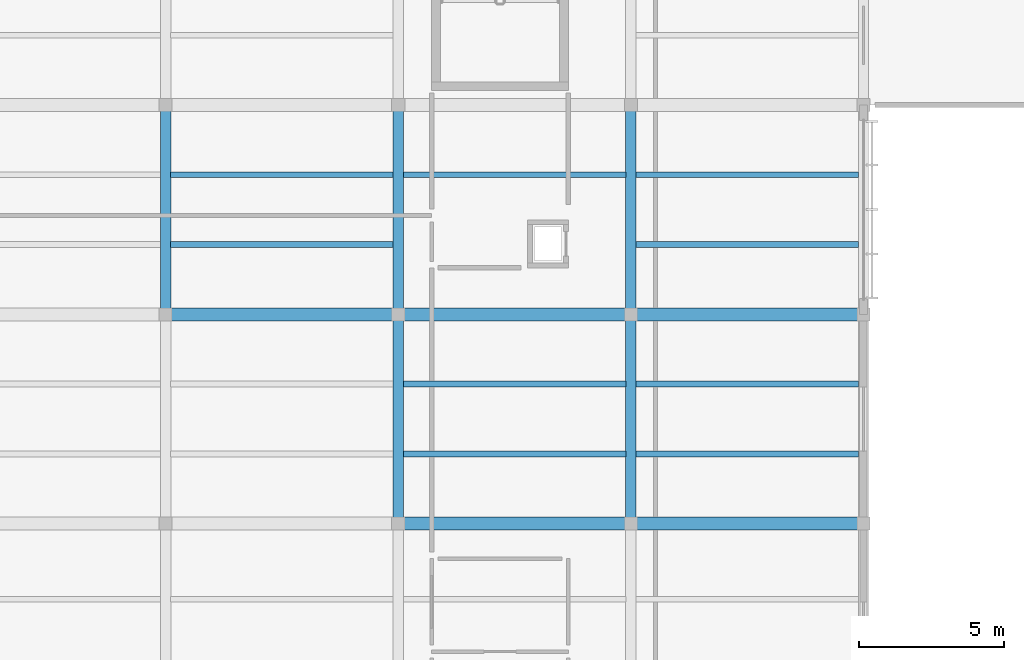
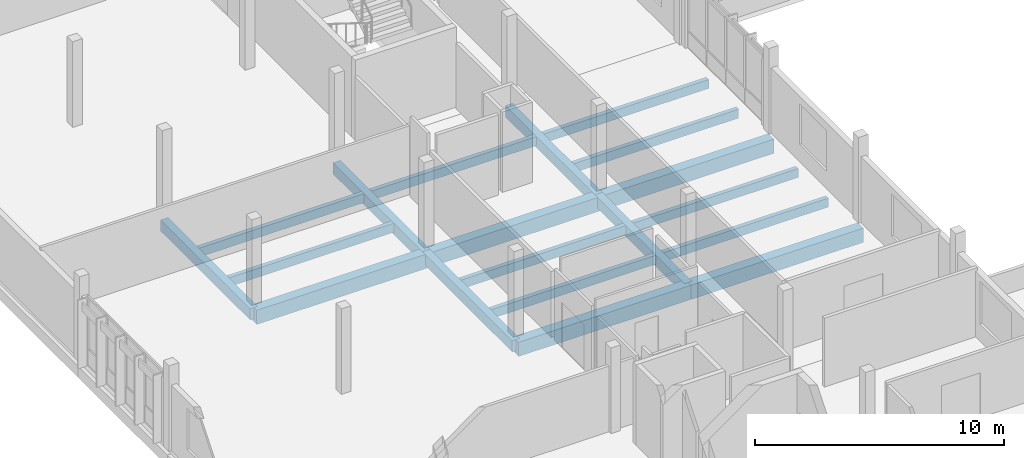
# One storey, part 69 of 182: 19 beams.
"""IFC4 building model written with IfcOpenShell, lengths in metres."""

from ifc_helpers import new_model, si_unit, direction, frame, origin, origin_2d, place, context, subcontext, project, spatial, rectangle, extrude, material, material_profile, profile_set, type_object, element, save


model = new_model("IFC4")

# Units and contexts
model_context = context("Model", 3, precision=1e-05, world=origin(), true_north=direction((0.0, 1.0)))
body_context = subcontext(model_context, "Body", "Model", "MODEL_VIEW")
ifc_project = project(units=[si_unit("LENGTHUNIT", "METRE"), si_unit("AREAUNIT", "SQUARE_METRE"), si_unit("VOLUMEUNIT", "CUBIC_METRE"), si_unit("PLANEANGLEUNIT", "RADIAN"), si_unit("MASSUNIT", "GRAM", prefix="KILO")], contexts=[model_context])

# Site, building, storey
site_placement = place(None, origin())
site = spatial("IfcSite", under=ifc_project, at=site_placement, CompositionType="ELEMENT")
building_placement = place(site_placement, origin())
building = spatial("IfcBuilding", under=site, at=building_placement, Name="Chiffa Square Polytechnic", CompositionType="ELEMENT")
storey_placement = place(building_placement, frame((0.0, 0.0, 9.60009765625)))
storey = spatial("IfcBuildingStorey", under=building, at=storey_placement, Name="L02", CompositionType="ELEMENT", Elevation=9.60009765625)

# Beams
ifc_material_1 = material(Name="Concrete C35/45", Category="concrete")
ifc_material_profile_1 = material_profile(ifc_material_1, rectangle(XDim=0.35009765625, YDim=0.550048828125, at=origin_2d()), Name="RC 350x550")
ifc_profile_set_1 = profile_set([ifc_material_profile_1], Name="Concrete C35/45")
beam_type_1 = type_object("IfcBeamType", Name="BM-RC-350X550", PredefinedType="BEAM", material=ifc_profile_set_1)
beam_1_placement = place(storey_placement, frame((8.0, 72.60009765625, -0.59521484375), z_axis=(0.0, 1.0, 0.0), x_axis=(-1.0, 0.0, 0.0)))
element("IfcBeam", 1, at=beam_1_placement, inside=storey, type_object=beam_type_1, Name="Primary floor girder BM-V6-L02-Y-0080-0726", PredefinedType="BEAM", context=body_context, shape_type="SweptSolid", body=[
    extrude(rectangle(XDim=0.35009765625, YDim=0.550048828125, at=origin_2d()), origin(), (0.0, 0.0, 1.0), 7.199951171875),
])
beam_2_placement = place(storey_placement, frame((16.0, 65.39990234375, -0.59521484375), z_axis=(0.0, 1.0, 0.0), x_axis=(-1.0, 0.0, 0.0)))
element("IfcBeam", 2, at=beam_2_placement, inside=storey, type_object=beam_type_1, Name="Primary floor girder BM-V6-L02-Y-0160-0654", PredefinedType="BEAM", context=body_context, shape_type="SweptSolid", body=[
    extrude(rectangle(XDim=0.35009765625, YDim=0.550048828125, at=origin_2d()), origin(), (0.0, 0.0, 1.0), 7.2001953125),
])
beam_3_placement = place(storey_placement, frame((16.0, 72.60009765625, -0.59521484375), z_axis=(0.0, 1.0, 0.0), x_axis=(-1.0, 0.0, 0.0)))
element("IfcBeam", 3, at=beam_3_placement, inside=storey, type_object=beam_type_1, Name="Primary floor girder BM-V6-L02-Y-0160-0726", PredefinedType="BEAM", context=body_context, shape_type="SweptSolid", body=[
    extrude(rectangle(XDim=0.35009765625, YDim=0.550048828125, at=origin_2d()), origin(), (0.0, 0.0, 1.0), 7.199951171875),
])
beam_4_placement = place(storey_placement, frame((24.0, 65.39990234375, -0.59521484375), z_axis=(0.0, 1.0, 0.0), x_axis=(-1.0, 0.0, 0.0)))
element("IfcBeam", 4, at=beam_4_placement, inside=storey, type_object=beam_type_1, Name="Primary floor girder BM-V6-L02-Y-0240-0654", PredefinedType="BEAM", context=body_context, shape_type="SweptSolid", body=[
    extrude(rectangle(XDim=0.35009765625, YDim=0.550048828125, at=origin_2d()), origin(), (0.0, 0.0, 1.0), 7.2001953125),
])
beam_5_placement = place(storey_placement, frame((24.0, 72.60009765625, -0.59521484375), z_axis=(0.0, 1.0, 0.0), x_axis=(-1.0, 0.0, 0.0)))
element("IfcBeam", 5, at=beam_5_placement, inside=storey, type_object=beam_type_1, Name="Primary floor girder BM-V6-L02-Y-0240-0726", PredefinedType="BEAM", context=body_context, shape_type="SweptSolid", body=[
    extrude(rectangle(XDim=0.35009765625, YDim=0.550048828125, at=origin_2d()), origin(), (0.0, 0.0, 1.0), 7.199951171875),
])
ifc_material_profile_2 = material_profile(ifc_material_1, rectangle(XDim=0.449951171875, YDim=0.699951171875, at=origin_2d()), Name="RC 450x700")
ifc_profile_set_2 = profile_set([ifc_material_profile_2], Name="Concrete C35/45")
beam_type_2 = type_object("IfcBeamType", Name="BM-RC-450X700", PredefinedType="BEAM", material=ifc_profile_set_2)
for number, where, z_axis, x_axis, name in (
    (6, (16.0, 65.39990234375, -0.670166015625), (1.0, 0.0, 0.0), (0.0, 1.0, 0.0), "Primary floor girder BM-V6-L02-X-0160-0654"),
    (7, (24.0, 65.39990234375, -0.670166015625), (1.0, 0.0, 0.0), (0.0, 1.0, 0.0), "Primary floor girder BM-V6-L02-X-0240-0654"),
    (8, (8.0, 72.60009765625, -0.670166015625), (1.0, 0.0, 0.0), (0.0, 1.0, 0.0), "Primary floor girder BM-V6-L02-X-0080-0726"),
    (9, (16.0, 72.60009765625, -0.670166015625), (1.0, 0.0, 0.0), (0.0, 1.0, 0.0), "Primary floor girder BM-V6-L02-X-0160-0726"),
    (10, (24.0, 72.60009765625, -0.670166015625), (1.0, 0.0, 0.0), (0.0, 1.0, 0.0), "Primary floor girder BM-V6-L02-X-0240-0726"),
):
    element("IfcBeam", number, at=place(storey_placement, frame(where, z_axis=z_axis, x_axis=x_axis)), inside=storey, type_object=beam_type_2, Name=name, PredefinedType="BEAM", context=body_context, shape_type="SweptSolid", body=[
        extrude(rectangle(XDim=0.449951171875, YDim=0.699951171875, at=origin_2d()), origin(), (0.0, 0.0, 1.0), 8.0),
    ])
ifc_material_2 = material(Name="Glulam GL28h", Category="wood")
ifc_material_profile_3 = material_profile(ifc_material_2, rectangle(XDim=0.199951171875, YDim=0.43994140625, at=origin_2d()), Name="GL28h 200x440")
ifc_profile_set_3 = profile_set([ifc_material_profile_3], Name="Glulam GL28h")
beam_type_3 = type_object("IfcBeamType", Name="JST-GL-200X440", PredefinedType="JOIST", material=ifc_profile_set_3)
for number, where, z_axis, x_axis, name in (
    (11, (8.173095703125, 75.0, -0.5400390625), (1.0, 0.0, 0.0), (0.0, 1.0, 0.0), "Secondary floor joist JST-V6-L02-0080-0750"),
    (12, (8.173095703125, 77.39990234375, -0.5400390625), (1.0, 0.0, 0.0), (0.0, 1.0, 0.0), "Secondary floor joist JST-V6-L02-0080-0774"),
    (13, (16.173095703125, 67.800048828125, -0.5400390625), (1.0, 0.0, 0.0), (0.0, 1.0, 0.0), "Secondary floor joist JST-V6-L02-0160-0678"),
    (14, (16.173095703125, 70.199951171875, -0.5400390625), (1.0, 0.0, 0.0), (0.0, 1.0, 0.0), "Secondary floor joist JST-V6-L02-0160-0702"),
    (15, (16.173095703125, 77.39990234375, -0.5400390625), (1.0, 0.0, 0.0), (0.0, 1.0, 0.0), "Secondary floor joist JST-V6-L02-0160-0774"),
    (16, (24.173095703125, 67.800048828125, -0.5400390625), (1.0, 0.0, 0.0), (0.0, 1.0, 0.0), "Secondary floor joist JST-V6-L02-0240-0678"),
    (17, (24.173095703125, 70.199951171875, -0.5400390625), (1.0, 0.0, 0.0), (0.0, 1.0, 0.0), "Secondary floor joist JST-V6-L02-0240-0702"),
    (18, (24.173095703125, 75.0, -0.5400390625), (1.0, 0.0, 0.0), (0.0, 1.0, 0.0), "Secondary floor joist JST-V6-L02-0240-0750"),
    (19, (24.173095703125, 77.39990234375, -0.5400390625), (1.0, 0.0, 0.0), (0.0, 1.0, 0.0), "Secondary floor joist JST-V6-L02-0240-0774"),
):
    element("IfcBeam", number, at=place(storey_placement, frame(where, z_axis=z_axis, x_axis=x_axis)), inside=storey, type_object=beam_type_3, Name=name, PredefinedType="JOIST", context=body_context, shape_type="SweptSolid", body=[
        extrude(rectangle(XDim=0.199951171875, YDim=0.43994140625, at=origin_2d()), origin(), (0.0, 0.0, 1.0), 7.65380859375),
    ])

save(model, "model.ifc")
